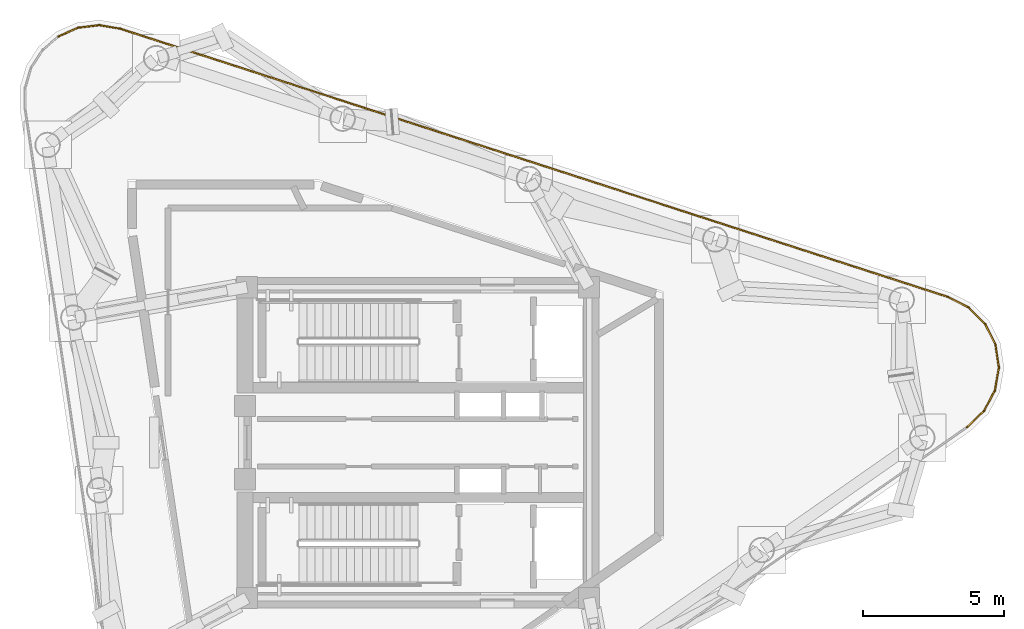
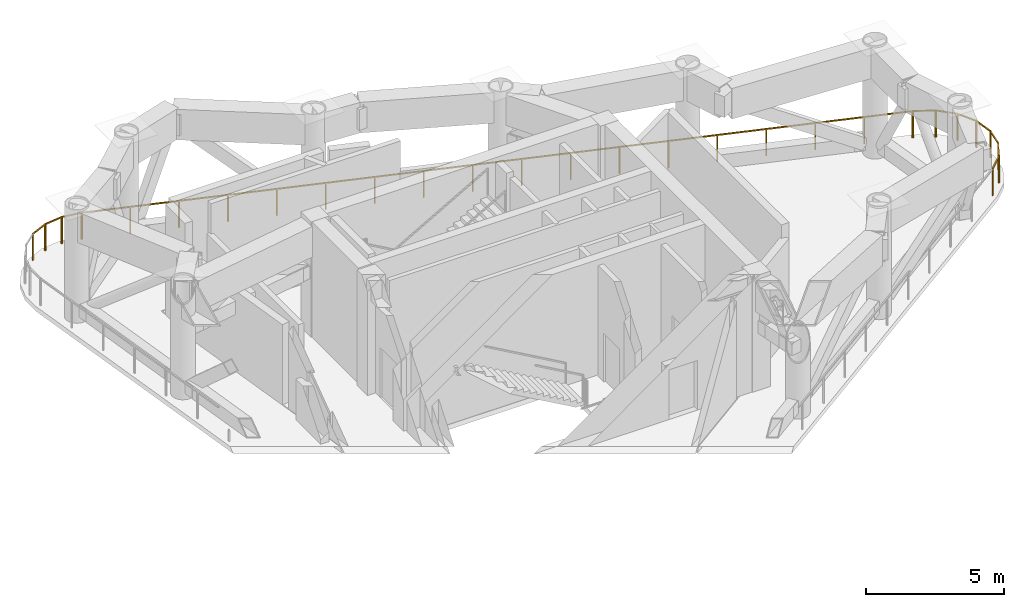
# One storey, part 9 of 9: 11 railings.
"""IFC4 building model written with IfcOpenShell, lengths in metres."""

from ifc_helpers import new_model, si_unit, direction, frame, origin, origin_2d, place, context, subcontext, project, spatial, rectangle, extrude, material, type_object, element, save


model = new_model("IFC4")

# Units and contexts
model_context = context("Model", 3, precision=1e-05, world=origin(), true_north=direction((0.0, 1.0)))
body_context = subcontext(model_context, "Body", "Model", "MODEL_VIEW")
ifc_project = project(units=[si_unit("LENGTHUNIT", "METRE"), si_unit("AREAUNIT", "SQUARE_METRE"), si_unit("VOLUMEUNIT", "CUBIC_METRE"), si_unit("PLANEANGLEUNIT", "RADIAN"), si_unit("MASSUNIT", "GRAM", prefix="KILO")], contexts=[model_context])

# Site, building, storey
site_placement = place(None, origin())
site = spatial("IfcSite", under=ifc_project, at=site_placement, CompositionType="ELEMENT")
building_placement = place(site_placement, origin())
building = spatial("IfcBuilding", under=site, at=building_placement, Name="Yunling Apex Tower", CompositionType="ELEMENT")
storey_placement = place(building_placement, frame((0.0, 0.0, 284.75)))
storey = spatial("IfcBuildingStorey", under=building, at=storey_placement, Name="RF8", CompositionType="ELEMENT", Elevation=284.75)

# Railings
ifc_material = material(Name="Bronze anodised aluminium", Category="aluminium")
railing_type = type_object("IfcRailingType", Name="RL-BAL-1200", PredefinedType="BALUSTRADE", material=ifc_material)
railing_1_placement = place(storey_placement, frame((-12.727783203125, 14.3740234375, 0.0)))
element("IfcRailing", 1, at=railing_1_placement, inside=storey, type_object=railing_type, Name="RL-REF-RF8-06", PredefinedType="BALUSTRADE", context=body_context, shape_type="SweptSolid", body=[
    extrude(rectangle(XDim=0.0439453125, YDim=0.0439453125, at=origin_2d()), origin(), (0.0, 0.0, 1.0), 1.199951171875),
    extrude(rectangle(XDim=0.0439453125, YDim=0.0439453125, at=origin_2d()), frame((0.71337890625, 0.312255859375, 0.0)), (0.0, 0.0, 1.0), 1.199951171875),
    extrude(rectangle(XDim=0.050048828125, YDim=0.050048828125, at=origin_2d()), frame((0.03515625, 0.015380859375, 1.1748046875), z_axis=(0.916085366307, 0.400983293466, 0.0), x_axis=(-0.400983293466, 0.916085366307, 0.0)), (0.0, 0.0, 1.0), 0.7021484375),
])
railing_2_placement = place(storey_placement, frame((-12.04296875, 14.678466796875, 0.0)))
element("IfcRailing", 2, at=railing_2_placement, inside=storey, type_object=railing_type, Name="RL-REF-RF8-07", PredefinedType="BALUSTRADE", context=body_context, shape_type="SweptSolid", body=[
    extrude(rectangle(XDim=0.0439453125, YDim=0.0439453125, at=origin_2d()), origin(), (0.0, 0.0, 1.0), 1.199951171875),
    extrude(rectangle(XDim=0.0439453125, YDim=0.0439453125, at=origin_2d()), frame((0.77294921875, 0.094970703125, 0.0)), (0.0, 0.0, 1.0), 1.199951171875),
    extrude(rectangle(XDim=0.050048828125, YDim=0.050048828125, at=origin_2d()), frame((0.0380859375, 0.004638671875, 1.1748046875), z_axis=(0.992536134087, 0.121950902135, 0.0), x_axis=(-0.121950902135, 0.992536134087, 0.0)), (0.0, 0.0, 1.0), 0.7021484375),
])
railing_3_placement = place(storey_placement, frame((-11.299560546875, 14.774169921875, 0.0)))
element("IfcRailing", 3, at=railing_3_placement, inside=storey, type_object=railing_type, Name="RL-REF-RF8-08", PredefinedType="BALUSTRADE", context=body_context, shape_type="SweptSolid", body=[
    extrude(rectangle(XDim=0.0439453125, YDim=0.0439453125, at=origin_2d()), origin(), (0.0, 0.0, 1.0), 1.199951171875),
    extrude(rectangle(XDim=0.0439453125, YDim=0.0439453125, at=origin_2d()), frame((0.78076171875, -0.1328125, 0.0)), (0.0, 0.0, 1.0), 1.199951171875),
    extrude(rectangle(XDim=0.050048828125, YDim=0.050048828125, at=origin_2d()), frame((0.037841796875, -0.00634765625, 1.1748046875), z_axis=(0.985838524035, -0.167697359936, 0.0), x_axis=(0.167697359936, 0.985838524035, 0.0)), (0.0, 0.0, 1.0), 0.71533203125),
])
railing_4_placement = place(storey_placement, frame((-10.547607421875, 14.648681640625, 0.0)))
element("IfcRailing", 4, at=railing_4_placement, inside=storey, type_object=railing_type, Name="RL-REF-RF8-09", PredefinedType="BALUSTRADE", context=body_context, shape_type="SweptSolid", body=[
    extrude(rectangle(XDim=0.0439453125, YDim=0.0439453125, at=origin_2d()), origin(), (0.0, 0.0, 1.0), 1.199951171875),
    extrude(rectangle(XDim=0.0439453125, YDim=0.0439453125, at=origin_2d()), frame((29.308837890625, -9.500732421875, 0.0)), (0.0, 0.0, 1.0), 1.199951171875),
    extrude(rectangle(XDim=0.050048828125, YDim=0.050048828125, at=origin_2d()), frame((0.036376953125, -0.01171875, 1.1748046875), z_axis=(0.951268875461, -0.308362654321, 0.0), x_axis=(0.308362654321, 0.951268875461, 0.0)), (0.0, 0.0, 1.0), 30.733642578125),
    extrude(rectangle(XDim=0.0439453125, YDim=0.0439453125, at=origin_2d()), frame((1.72412109375, -0.558837890625, 0.0)), (0.0, 0.0, 1.0), 1.14599609375),
    extrude(rectangle(XDim=0.0439453125, YDim=0.0439453125, at=origin_2d()), frame((3.447998046875, -1.11767578125, 0.0)), (0.0, 0.0, 1.0), 1.14599609375),
    extrude(rectangle(XDim=0.0439453125, YDim=0.0439453125, at=origin_2d()), frame((5.172119140625, -1.676513671875, 0.0)), (0.0, 0.0, 1.0), 1.14599609375),
    extrude(rectangle(XDim=0.0439453125, YDim=0.0439453125, at=origin_2d()), frame((6.896240234375, -2.2353515625, 0.0)), (0.0, 0.0, 1.0), 1.14599609375),
    extrude(rectangle(XDim=0.0439453125, YDim=0.0439453125, at=origin_2d()), frame((8.620361328125, -2.79443359375, 0.0)), (0.0, 0.0, 1.0), 1.14599609375),
    extrude(rectangle(XDim=0.0439453125, YDim=0.0439453125, at=origin_2d()), frame((10.34423828125, -3.353271484375, 0.0)), (0.0, 0.0, 1.0), 1.14599609375),
    extrude(rectangle(XDim=0.0439453125, YDim=0.0439453125, at=origin_2d()), frame((12.068359375, -3.912109375, 0.0)), (0.0, 0.0, 1.0), 1.14599609375),
    extrude(rectangle(XDim=0.0439453125, YDim=0.0439453125, at=origin_2d()), frame((13.79248046875, -4.470947265625, 0.0)), (0.0, 0.0, 1.0), 1.14599609375),
    extrude(rectangle(XDim=0.0439453125, YDim=0.0439453125, at=origin_2d()), frame((15.516357421875, -5.02978515625, 0.0)), (0.0, 0.0, 1.0), 1.14599609375),
    extrude(rectangle(XDim=0.0439453125, YDim=0.0439453125, at=origin_2d()), frame((17.240478515625, -5.588623046875, 0.0)), (0.0, 0.0, 1.0), 1.14599609375),
    extrude(rectangle(XDim=0.0439453125, YDim=0.0439453125, at=origin_2d()), frame((18.964599609375, -6.1474609375, 0.0)), (0.0, 0.0, 1.0), 1.14599609375),
    extrude(rectangle(XDim=0.0439453125, YDim=0.0439453125, at=origin_2d()), frame((20.6884765625, -6.706298828125, 0.0)), (0.0, 0.0, 1.0), 1.14599609375),
    extrude(rectangle(XDim=0.0439453125, YDim=0.0439453125, at=origin_2d()), frame((22.41259765625, -7.265380859375, 0.0)), (0.0, 0.0, 1.0), 1.14599609375),
    extrude(rectangle(XDim=0.0439453125, YDim=0.0439453125, at=origin_2d()), frame((24.13671875, -7.82421875, 0.0)), (0.0, 0.0, 1.0), 1.14599609375),
    extrude(rectangle(XDim=0.0439453125, YDim=0.0439453125, at=origin_2d()), frame((25.86083984375, -8.383056640625, 0.0)), (0.0, 0.0, 1.0), 1.14599609375),
    extrude(rectangle(XDim=0.0439453125, YDim=0.0439453125, at=origin_2d()), frame((27.584716796875, -8.94189453125, 0.0)), (0.0, 0.0, 1.0), 1.14599609375),
])
railing_5_placement = place(storey_placement, frame((18.7333984375, 5.159423828125, 0.0)))
element("IfcRailing", 5, at=railing_5_placement, inside=storey, type_object=railing_type, Name="RL-REF-RF8-10", PredefinedType="BALUSTRADE", context=body_context, shape_type="SweptSolid", body=[
    extrude(rectangle(XDim=0.0439453125, YDim=0.0439453125, at=origin_2d()), origin(), (0.0, 0.0, 1.0), 1.199951171875),
    extrude(rectangle(XDim=0.0439453125, YDim=0.0439453125, at=origin_2d()), frame((0.76708984375, -0.391357421875, 0.0)), (0.0, 0.0, 1.0), 1.199951171875),
    extrude(rectangle(XDim=0.050048828125, YDim=0.050048828125, at=origin_2d()), frame((0.0341796875, -0.017333984375, 1.1748046875), z_axis=(0.890768896298, -0.454456569308, 0.0), x_axis=(0.454456569308, 0.890768896298, 0.0)), (0.0, 0.0, 1.0), 0.784423828125),
])
railing_6_placement = place(storey_placement, frame((19.4765625, 4.785400390625, 0.0)))
element("IfcRailing", 6, at=railing_6_placement, inside=storey, type_object=railing_type, Name="RL-REF-RF8-11", PredefinedType="BALUSTRADE", context=body_context, shape_type="SweptSolid", body=[
    extrude(rectangle(XDim=0.0439453125, YDim=0.0439453125, at=origin_2d()), origin(), (0.0, 0.0, 1.0), 1.199951171875),
    extrude(rectangle(XDim=0.0439453125, YDim=0.0439453125, at=origin_2d()), frame((0.596435546875, -0.600341796875, 0.0)), (0.0, 0.0, 1.0), 1.199951171875),
    extrude(rectangle(XDim=0.050048828125, YDim=0.050048828125, at=origin_2d()), frame((0.027099609375, -0.027099609375, 1.1748046875), z_axis=(0.704795048851, -0.709410980403, 0.0), x_axis=(0.709410980403, 0.704795048851, 0.0)), (0.0, 0.0, 1.0), 0.76953125),
])
railing_7_placement = place(storey_placement, frame((20.0556640625, 4.208984375, 0.0)))
element("IfcRailing", 7, at=railing_7_placement, inside=storey, type_object=railing_type, Name="RL-REF-RF8-12", PredefinedType="BALUSTRADE", context=body_context, shape_type="SweptSolid", body=[
    extrude(rectangle(XDim=0.0439453125, YDim=0.0439453125, at=origin_2d()), origin(), (0.0, 0.0, 1.0), 1.199951171875),
    extrude(rectangle(XDim=0.0439453125, YDim=0.0439453125, at=origin_2d()), frame((0.3798828125, -0.756591796875, 0.0)), (0.0, 0.0, 1.0), 1.199951171875),
    extrude(rectangle(XDim=0.050048828125, YDim=0.050048828125, at=origin_2d()), frame((0.01708984375, -0.0341796875, 1.1748046875), z_axis=(0.44871252039, -0.893676157255, 0.0), x_axis=(0.893676157255, 0.44871252039, 0.0)), (0.0, 0.0, 1.0), 0.77001953125),
])
railing_8_placement = place(storey_placement, frame((20.426513671875, 3.480712890625, 0.0)))
element("IfcRailing", 8, at=railing_8_placement, inside=storey, type_object=railing_type, Name="RL-REF-RF8-13", PredefinedType="BALUSTRADE", context=body_context, shape_type="SweptSolid", body=[
    extrude(rectangle(XDim=0.0439453125, YDim=0.0439453125, at=origin_2d()), origin(), (0.0, 0.0, 1.0), 1.199951171875),
    extrude(rectangle(XDim=0.0439453125, YDim=0.0439453125, at=origin_2d()), frame((0.125, -0.837158203125, 0.0)), (0.0, 0.0, 1.0), 1.199951171875),
    extrude(rectangle(XDim=0.050048828125, YDim=0.050048828125, at=origin_2d()), frame((0.005615234375, -0.037841796875, 1.1748046875), z_axis=(0.147677518153, -0.989035565909, 0.0), x_axis=(0.989035565909, 0.147677518153, 0.0)), (0.0, 0.0, 1.0), 0.769775390625),
])
railing_9_placement = place(storey_placement, frame((20.552001953125, 2.673095703125, 0.0)))
element("IfcRailing", 9, at=railing_9_placement, inside=storey, type_object=railing_type, Name="RL-REF-RF8-14", PredefinedType="BALUSTRADE", context=body_context, shape_type="SweptSolid", body=[
    extrude(rectangle(XDim=0.0439453125, YDim=0.0439453125, at=origin_2d()), origin(), (0.0, 0.0, 1.0), 1.199951171875),
    extrude(rectangle(XDim=0.0439453125, YDim=0.0439453125, at=origin_2d()), frame((-0.14208984375, -0.83447265625, 0.0)), (0.0, 0.0, 1.0), 1.199951171875),
    extrude(rectangle(XDim=0.050048828125, YDim=0.050048828125, at=origin_2d()), frame((-0.00634765625, -0.037841796875, 1.1748046875), z_axis=(-0.167858985324, -0.985811016902, 0.0), x_axis=(0.985811016902, -0.167858985324, 0.0)), (0.0, 0.0, 1.0), 0.769775390625),
])
railing_10_placement = place(storey_placement, frame((20.41943359375, 1.86669921875, 0.0)))
element("IfcRailing", 10, at=railing_10_placement, inside=storey, type_object=railing_type, Name="RL-REF-RF8-15", PredefinedType="BALUSTRADE", context=body_context, shape_type="SweptSolid", body=[
    extrude(rectangle(XDim=0.0439453125, YDim=0.0439453125, at=origin_2d()), origin(), (0.0, 0.0, 1.0), 1.199951171875),
    extrude(rectangle(XDim=0.0439453125, YDim=0.0439453125, at=origin_2d()), frame((-0.394775390625, -0.748779296875, 0.0)), (0.0, 0.0, 1.0), 1.199951171875),
    extrude(rectangle(XDim=0.050048828125, YDim=0.050048828125, at=origin_2d()), frame((-0.017822265625, -0.033935546875, 1.1748046875), z_axis=(-0.466376335802, -0.884586408105, 0.0), x_axis=(0.884586408105, -0.466376335802, 0.0)), (0.0, 0.0, 1.0), 0.769775390625),
])
railing_11_placement = place(storey_placement, frame((20.04248046875, 1.1416015625, 0.0)))
element("IfcRailing", 11, at=railing_11_placement, inside=storey, type_object=railing_type, Name="RL-REF-RF8-16", PredefinedType="BALUSTRADE", context=body_context, shape_type="SweptSolid", body=[
    extrude(rectangle(XDim=0.0439453125, YDim=0.0439453125, at=origin_2d()), origin(), (0.0, 0.0, 1.0), 1.199951171875),
    extrude(rectangle(XDim=0.0439453125, YDim=0.0439453125, at=origin_2d()), frame((-0.618896484375, -0.598388671875, 0.0)), (0.0, 0.0, 1.0), 1.199951171875),
    extrude(rectangle(XDim=0.050048828125, YDim=0.050048828125, at=origin_2d()), frame((-0.027587890625, -0.026611328125, 1.1748046875), z_axis=(-0.718917513873, -0.69509539507, 0.0), x_axis=(0.69509539507, -0.718917513873, 0.0)), (0.0, 0.0, 1.0), 0.7841796875),
])

save(model, "model.ifc")
